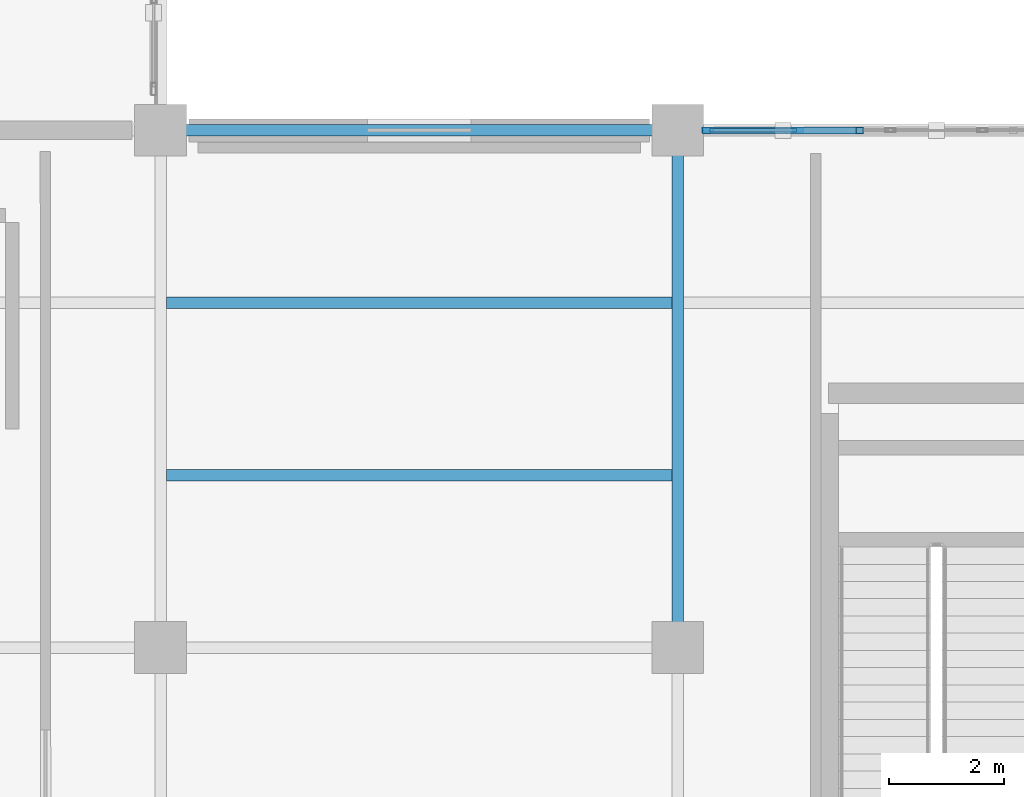
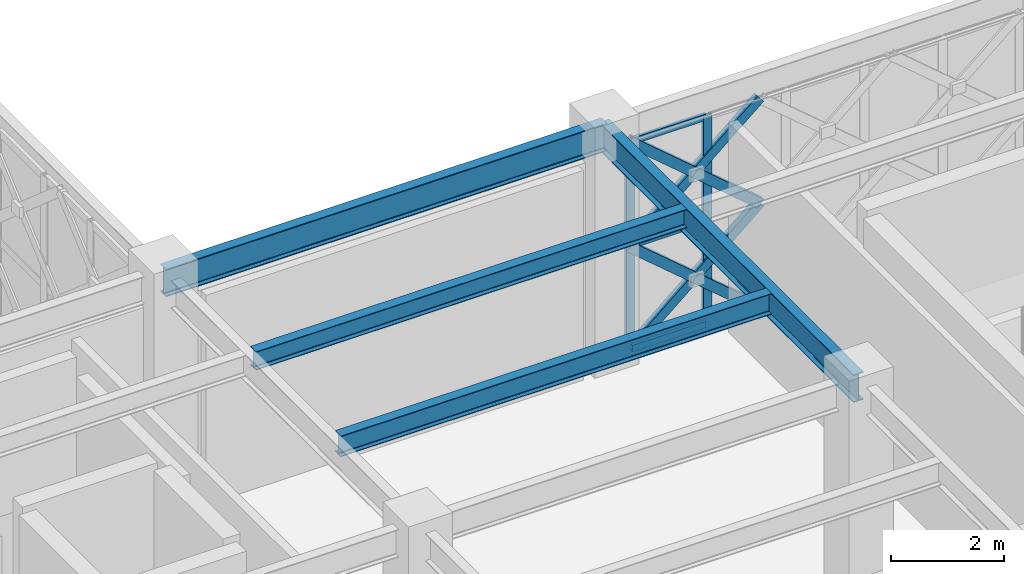
# One storey, part 24 of 166: 11 members, 4 beams, 1 element without a shape of its own.
"""IFC4 building model written with IfcOpenShell, lengths in metres."""

from ifc_helpers import new_model, si_unit, direction, frame, origin, origin_2d, place, context, subcontext, project, spatial, hollow_rectangle, i_section, extrude, material, material_profile, profile_set, type_object, element, aggregate, save


model = new_model("IFC4")

# Units and contexts
model_context = context("Model", 3, precision=1e-05, world=origin(), true_north=direction((0.0, 1.0)))
body_context = subcontext(model_context, "Body", "Model", "MODEL_VIEW")
ifc_project = project(units=[si_unit("LENGTHUNIT", "METRE"), si_unit("AREAUNIT", "SQUARE_METRE"), si_unit("VOLUMEUNIT", "CUBIC_METRE"), si_unit("PLANEANGLEUNIT", "RADIAN"), si_unit("MASSUNIT", "GRAM", prefix="KILO")], contexts=[model_context])

# Site, building, storey
site_placement = place(None, origin())
site = spatial("IfcSite", under=ifc_project, at=site_placement, CompositionType="ELEMENT")
building_placement = place(site_placement, origin())
building = spatial("IfcBuilding", under=site, at=building_placement, Name="Haizhuo Lancet Aquarium", CompositionType="ELEMENT")
storey_placement = place(building_placement, frame((0.0, 0.0, 5.39990234375)))
storey = spatial("IfcBuildingStorey", under=building, at=storey_placement, Name="L01", CompositionType="ELEMENT", Elevation=5.39990234375)

# Beams
ifc_material_1 = material(Name="Steel S355", Category="steel")
ifc_material_profile_1 = material_profile(ifc_material_1, i_section(OverallWidth=0.199951171875, OverallDepth=0.60009765625, WebThickness=0.010986328125, FlangeThickness=0.01708984375, FilletRadius=0.02197265625, at=origin_2d()), Name="HN 600x200x11x17")
ifc_profile_set_1 = profile_set([ifc_material_profile_1], Name="Steel S355")
beam_type_1 = type_object("IfcBeamType", Name="BM-ST-HN600", PredefinedType="BEAM", material=ifc_profile_set_1)
for number, where, z_axis, x_axis, name in (
    (1, (-54.0, -9.0, 4.840087890625), (1.0, 0.0, 0.0), (0.0, 1.0, 0.0), "L01 V6 primary girder BM-L01-V6-020"),
    (2, (-45.0, -18.0, 4.840087890625), (0.0, 1.0, 0.0), (-1.0, 0.0, 0.0), "L01 V6 primary girder BM-L01-V6-025"),
):
    element("IfcBeam", number, at=place(storey_placement, frame(where, z_axis=z_axis, x_axis=x_axis)), inside=storey, type_object=beam_type_1, Name=name, PredefinedType="BEAM", context=body_context, shape_type="SweptSolid", body=[
        extrude(i_section(OverallWidth=0.199951171875, OverallDepth=0.60009765625, WebThickness=0.010986328125, FlangeThickness=0.01708984375, FilletRadius=0.02197265625, at=origin_2d()), origin(), (0.0, 0.0, 1.0), 9.0),
    ])

# Curtain wall, members
ifc_material_2 = material(Name="Aluminium 6063-T6", Category="aluminium")
curtain_wall_type = type_object("IfcCurtainWallType", Name="CWO-8010x4540", PredefinedType="NOTDEFINED", material=ifc_material_2)
curtain_wall_placement = place(storey_placement, origin())
curtain_wall = element("IfcCurtainWall", 3, at=curtain_wall_placement, inside=storey, type_object=curtain_wall_type, Name="L01 curtain wall CW-V6-L01-205", PredefinedType="NOTDEFINED")
ifc_material_profile_2 = material_profile(ifc_material_2, hollow_rectangle(XDim=0.06494140625, YDim=0.179931640625, WallThickness=0.00390625, at=origin_2d()), Name="ALU-M 65x180x4")
ifc_profile_set_2 = profile_set([ifc_material_profile_2], Name="Aluminium 6063-T6")
member_type_1 = type_object("IfcMemberType", Name="CW-MUL-1", PredefinedType="MULLION", material=ifc_profile_set_2)
member_1_placement = place(storey_placement, frame((-44.472900390625, -9.0, 0.0), z_axis=(0.0, 0.0, 1.0), x_axis=(0.0, 1.0, 0.0)))
member_1 = element("IfcMember", 4, at=member_1_placement, type_object=member_type_1, Name="CWO-80x45 mullion 1", PredefinedType="MULLION", context=body_context, shape_type="SweptSolid", body=[
    extrude(hollow_rectangle(XDim=0.06494140625, YDim=0.179931640625, WallThickness=0.00390625, at=origin_2d()), origin(), (0.0, 0.0, 1.0), 4.5400390625),
])
member_2_placement = place(storey_placement, frame((-42.903076171875, -9.0, 0.0), z_axis=(0.0, 0.0, 1.0), x_axis=(0.0, 1.0, 0.0)))
member_2 = element("IfcMember", 5, at=member_2_placement, type_object=member_type_1, Name="CWO-80x45 mullion 2", PredefinedType="MULLION", context=body_context, shape_type="SweptSolid", body=[
    extrude(hollow_rectangle(XDim=0.06494140625, YDim=0.179931640625, WallThickness=0.00390625, at=origin_2d()), origin(), (0.0, 0.0, 1.0), 4.5400390625),
])
ifc_material_profile_3 = material_profile(ifc_material_2, hollow_rectangle(XDim=0.06494140625, YDim=0.139892578125, WallThickness=0.00390625, at=origin_2d()), Name="ALU-T 65x140x4")
ifc_profile_set_3 = profile_set([ifc_material_profile_3], Name="Aluminium 6063-T6")
member_type_2 = type_object("IfcMemberType", Name="CW-TRN-1", PredefinedType="NOTDEFINED", material=ifc_profile_set_3)
member_3_placement = place(storey_placement, frame((-44.43994140625, -9.0, 0.033203125), z_axis=(1.0, 0.0, 0.0), x_axis=(0.0, 1.0, 0.0)))
member_3 = element("IfcMember", 6, at=member_3_placement, type_object=member_type_2, Name="CWO-80x45 transom 1.1", ObjectType="TRANSOM", PredefinedType="USERDEFINED", context=body_context, shape_type="SweptSolid", body=[
    extrude(hollow_rectangle(XDim=0.06494140625, YDim=0.139892578125, WallThickness=0.00390625, at=origin_2d()), origin(), (0.0, 0.0, 1.0), 1.50390625),
])
member_4_placement = place(storey_placement, frame((-44.43994140625, -9.0, 2.27001953125), z_axis=(1.0, 0.0, 0.0), x_axis=(0.0, 1.0, 0.0)))
member_4 = element("IfcMember", 7, at=member_4_placement, type_object=member_type_2, Name="CWO-80x45 transom 1.2", ObjectType="TRANSOM", PredefinedType="USERDEFINED", context=body_context, shape_type="SweptSolid", body=[
    extrude(hollow_rectangle(XDim=0.06494140625, YDim=0.139892578125, WallThickness=0.00390625, at=origin_2d()), origin(), (0.0, 0.0, 1.0), 1.50390625),
])
member_5_placement = place(storey_placement, frame((-44.43994140625, -9.0, 4.507080078125), z_axis=(1.0, 0.0, 0.0), x_axis=(0.0, 1.0, 0.0)))
member_5 = element("IfcMember", 8, at=member_5_placement, type_object=member_type_2, Name="CWO-80x45 transom 1.3", ObjectType="TRANSOM", PredefinedType="USERDEFINED", context=body_context, shape_type="SweptSolid", body=[
    extrude(hollow_rectangle(XDim=0.06494140625, YDim=0.139892578125, WallThickness=0.00390625, at=origin_2d()), origin(), (0.0, 0.0, 1.0), 1.50390625),
])
aggregate(curtain_wall, [member_1, member_2, member_3, member_4, member_5])

# Beams
ifc_material_profile_4 = material_profile(ifc_material_1, i_section(OverallWidth=0.199951171875, OverallDepth=0.39990234375, WebThickness=0.008056640625, FlangeThickness=0.012939453125, FilletRadius=0.01611328125, at=origin_2d()), Name="HN 400x200x8x13")
ifc_profile_set_4 = profile_set([ifc_material_profile_4], Name="Steel S355")
beam_type_2 = type_object("IfcBeamType", Name="JST-ST-HN400", PredefinedType="JOIST", material=ifc_profile_set_4)
beam_1_placement = place(storey_placement, frame((-53.89990234375, -12.0, 4.940185546875), z_axis=(1.0, 0.0, 0.0), x_axis=(0.0, 1.0, 0.0)))
element("IfcBeam", 9, at=beam_1_placement, inside=storey, type_object=beam_type_2, Name="L01 V6 secondary floor joist 15", PredefinedType="JOIST", context=body_context, shape_type="SweptSolid", body=[
    extrude(i_section(OverallWidth=0.199951171875, OverallDepth=0.39990234375, WebThickness=0.008056640625, FlangeThickness=0.012939453125, FilletRadius=0.01611328125, at=origin_2d()), origin(), (0.0, 0.0, 1.0), 8.7998046875),
])
ifc_material_profile_5 = material_profile(ifc_material_1, i_section(OverallWidth=0.199951171875, OverallDepth=0.449951171875, WebThickness=0.009033203125, FlangeThickness=0.013916015625, FilletRadius=0.01806640625, at=origin_2d()), Name="HN 450x200x9x14")
ifc_profile_set_5 = profile_set([ifc_material_profile_5], Name="Steel S355")
beam_type_3 = type_object("IfcBeamType", Name="JST-ST-HN450", PredefinedType="JOIST", material=ifc_profile_set_5)
beam_2_placement = place(storey_placement, frame((-53.89990234375, -15.0, 4.9150390625), z_axis=(1.0, 0.0, 0.0), x_axis=(0.0, 1.0, 0.0)))
element("IfcBeam", 10, at=beam_2_placement, inside=storey, type_object=beam_type_3, Name="L01 V6 secondary floor joist 14", PredefinedType="JOIST", context=body_context, shape_type="SweptSolid", body=[
    extrude(i_section(OverallWidth=0.199951171875, OverallDepth=0.449951171875, WebThickness=0.009033203125, FlangeThickness=0.013916015625, FilletRadius=0.01806640625, at=origin_2d()), origin(), (0.0, 0.0, 1.0), 8.7998046875),
])

# Members
ifc_material_profile_6 = material_profile(ifc_material_1, hollow_rectangle(XDim=0.1201171875, YDim=0.199951171875, WallThickness=0.008056640625, at=origin_2d()), Name="RHS 120x200x8")
ifc_profile_set_6 = profile_set([ifc_material_profile_6], Name="Steel S355")
member_type_3 = type_object("IfcMemberType", Name="MEM-LB-RHS120x200", PredefinedType="BRACE", material=ifc_profile_set_6)
member_6_placement = place(storey_placement, frame((-44.5048828125, -9.0, 0.0), z_axis=(0.761856805528, 0.0, 0.647745480779), x_axis=(0.0, 1.0, 0.0)))
element("IfcMember", 11, at=member_6_placement, inside=storey, type_object=member_type_3, Name="Gothic lancet continuous diagonal brace CW-V6-L01-205 1A", PredefinedType="BRACE", context=body_context, shape_type="SweptSolid", body=[
    extrude(hollow_rectangle(XDim=0.1201171875, YDim=0.199951171875, WallThickness=0.008056640625, at=origin_2d()), origin(), (0.0, 0.0, 1.0), 3.50439453125),
])
for number, where, z_axis, x_axis, name in (
    (12, (-41.8349609375, -9.0, 0.0), (-0.761856805528, 0.0, 0.647745480779), (0.0, -1.0, 0.0), "Gothic lancet split diagonal brace CW-V6-L01-205 1B1"),
    (13, (-43.169921875, -9.0, 1.135009765625), (-0.761856805528, 0.0, 0.647745480779), (0.0, -1.0, 0.0), "Gothic lancet split diagonal brace CW-V6-L01-205 1B2"),
):
    element("IfcMember", number, at=place(storey_placement, frame(where, z_axis=z_axis, x_axis=x_axis)), inside=storey, type_object=member_type_3, Name=name, PredefinedType="BRACE", context=body_context, shape_type="SweptSolid", body=[
        extrude(hollow_rectangle(XDim=0.1201171875, YDim=0.199951171875, WallThickness=0.008056640625, at=origin_2d()), origin(), (0.0, 0.0, 1.0), 1.752197265625),
    ])
member_7_placement = place(storey_placement, frame((-44.5048828125, -9.0, 2.27001953125), z_axis=(0.761856805528, 0.0, 0.647745480779), x_axis=(0.0, 1.0, 0.0)))
element("IfcMember", 14, at=member_7_placement, inside=storey, type_object=member_type_3, Name="Gothic lancet continuous diagonal brace CW-V6-L01-205 2A", PredefinedType="BRACE", context=body_context, shape_type="SweptSolid", body=[
    extrude(hollow_rectangle(XDim=0.1201171875, YDim=0.199951171875, WallThickness=0.008056640625, at=origin_2d()), origin(), (0.0, 0.0, 1.0), 3.50439453125),
])
for number, where, z_axis, x_axis, name in (
    (15, (-41.8349609375, -9.0, 2.27001953125), (-0.761856805528, 0.0, 0.647745480779), (0.0, -1.0, 0.0), "Gothic lancet split diagonal brace CW-V6-L01-205 2B1"),
    (16, (-43.169921875, -9.0, 3.405029296875), (-0.761856805528, 0.0, 0.647745480779), (0.0, -1.0, 0.0), "Gothic lancet split diagonal brace CW-V6-L01-205 2B2"),
):
    element("IfcMember", number, at=place(storey_placement, frame(where, z_axis=z_axis, x_axis=x_axis)), inside=storey, type_object=member_type_3, Name=name, PredefinedType="BRACE", context=body_context, shape_type="SweptSolid", body=[
        extrude(hollow_rectangle(XDim=0.1201171875, YDim=0.199951171875, WallThickness=0.008056640625, at=origin_2d()), origin(), (0.0, 0.0, 1.0), 1.752197265625),
    ])

save(model, "model.ifc")
